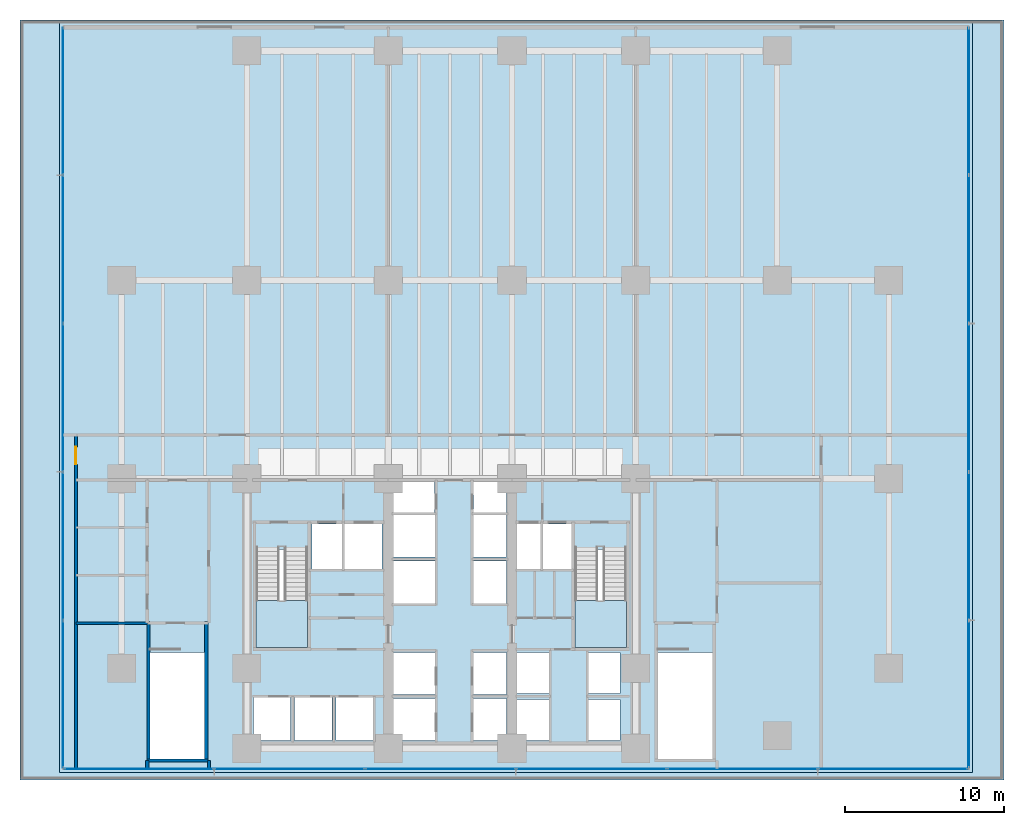
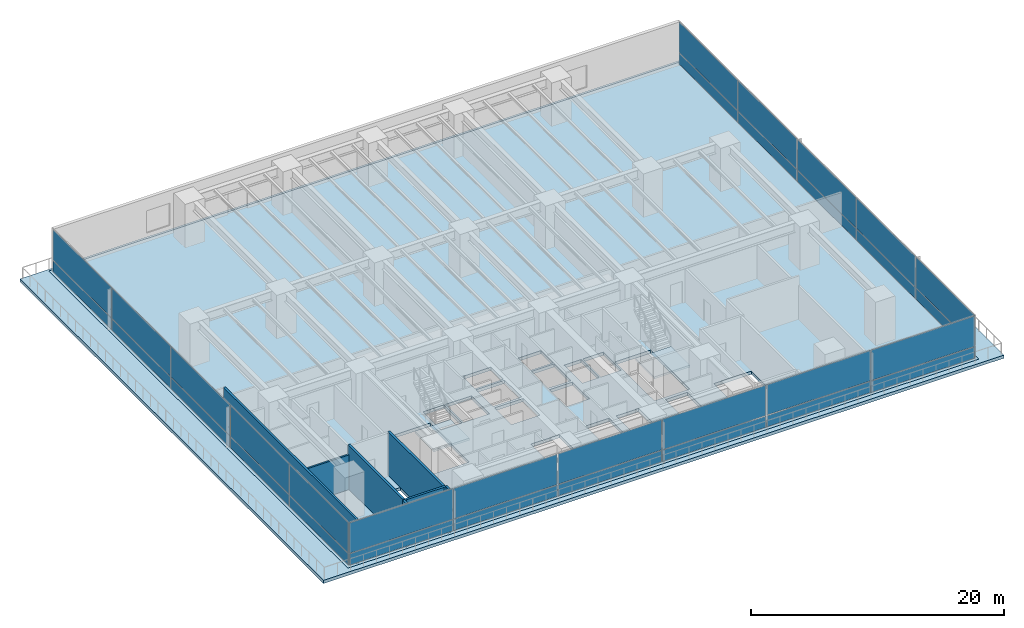
# One storey, part 6 of 21: 32 plates, 7 walls, 4 slabs, 1 door, 1 opening, 5 elements without a shape of their own.
"""IFC4 building model written with IfcOpenShell, lengths in metres."""

import ifcopenshell
import ifcopenshell.guid

model = None  # the IFC model being written
_history = None  # IfcOwnerHistory: only IFC2X3 demands one
_inside = {}  # id of a spatial element -> (the spatial element, [elements in it])
_under = {}  # id of a project, library or spatial element -> (it, [spatial elements below it])
_declared = {}  # id of a project -> (the project, [libraries it declares])
_typed = {}  # id of a type object -> (the type object, [elements of that type])
_made_of = {}  # id of a material, layer set ... -> (it, [elements and type objects made of it])


def new_model(schema):
    """Start an empty IFC model of exactly this schema.

    Asked for "IFC4X3", IfcOpenShell would pick the latest addendum, in which some entities
    have other attributes; the version numbers below select the first issue.
    IFC2X3 requires an IfcOwnerHistory on every rooted entity: one is made here for all.
    """
    global model, _history
    if schema == "IFC4X3":
        model = ifcopenshell.file(schema_version=(4, 3, 0, 0))
    else:
        model = ifcopenshell.file(schema=schema)
    _inside.clear()
    _under.clear()
    _declared.clear()
    _typed.clear()
    _made_of.clear()
    _history = None
    if model.schema == "IFC2X3":
        org = make("IfcOrganization", Name="unknown")
        user = make(
            "IfcPersonAndOrganization",
            ThePerson=make("IfcPerson", FamilyName="unknown"),
            TheOrganization=org,
        )
        app = make(
            "IfcApplication",
            ApplicationDeveloper=org,
            Version="unknown",
            ApplicationFullName="unknown",
            ApplicationIdentifier="unknown",
        )
        _history = make(
            "IfcOwnerHistory",
            OwningUser=user,
            OwningApplication=app,
            ChangeAction="ADDED",
            CreationDate=0,
        )
    return model


def make(cls, **values):
    """One entity of the class cls with the attributes given. An attribute that is None is left unset."""
    return model.create_entity(
        cls, **{name: value for name, value in values.items() if value is not None}
    )


def rooted(cls, **values):
    """An entity with a GlobalId (a new one), such as an element, a storey or a relation."""
    return make(cls, GlobalId=ifcopenshell.guid.new(), OwnerHistory=_history, **values)


def si_unit(unit_type, name, prefix=None):
    """IfcSIUnit, for example si_unit("LENGTHUNIT", "METRE", prefix="MILLI")."""
    return make("IfcSIUnit", UnitType=unit_type, Prefix=prefix, Name=name)


def assignment(units):
    """IfcUnitAssignment: the units of a project."""
    return None if units is None else make("IfcUnitAssignment", Units=units)


def point(xyz):
    """IfcCartesianPoint."""
    return None if xyz is None else make("IfcCartesianPoint", Coordinates=xyz)


def direction(xyz):
    """IfcDirection."""
    return None if xyz is None else make("IfcDirection", DirectionRatios=xyz)


def frame(location, z_axis=None, x_axis=None):
    """IfcAxis2Placement3D, a coordinate frame: its origin and axes. An axis left out is left unset."""
    return make(
        "IfcAxis2Placement3D",
        Location=point(location),
        Axis=direction(z_axis),
        RefDirection=direction(x_axis),
    )


def frame_2d(location, x_axis=None):
    """IfcAxis2Placement2D, a coordinate frame in the plane: its origin and x axis."""
    return make(
        "IfcAxis2Placement2D", Location=point(location), RefDirection=direction(x_axis)
    )


def origin():
    """The frame at (0, 0, 0) with its axes left unset."""
    return frame((0.0, 0.0, 0.0))


def origin_2d():
    """The frame at (0, 0) in the plane with its x axis left unset."""
    return frame_2d((0.0, 0.0))


def place(relative_to, where):
    """IfcLocalPlacement: puts the frame where relative to a parent placement (None: the world)."""
    return make(
        "IfcLocalPlacement", PlacementRelTo=relative_to, RelativePlacement=where
    )


def context(
    kind, dimensions, precision=None, world=None, true_north=None, identifier=None
):
    """IfcGeometricRepresentationContext, for example the 3D "Model" context."""
    return make(
        "IfcGeometricRepresentationContext",
        ContextIdentifier=identifier,
        ContextType=kind,
        CoordinateSpaceDimension=dimensions,
        Precision=precision,
        WorldCoordinateSystem=world,
        TrueNorth=true_north,
    )


def subcontext(parent, identifier, kind, view, scale=None):
    """IfcGeometricRepresentationSubContext, for example "Body" below "Model"."""
    return make(
        "IfcGeometricRepresentationSubContext",
        ContextIdentifier=identifier,
        ContextType=kind,
        ParentContext=parent,
        TargetScale=scale,
        TargetView=view,
    )


def project(units=None, contexts=None):
    """IfcProject with its units and contexts."""
    return rooted(
        "IfcProject",
        Name="project",
        RepresentationContexts=contexts,
        UnitsInContext=assignment(units),
    )


def spatial(cls, under=None, at=None, **own):
    """A site, building, storey or space (cls), placed at a placement, below another one or the project."""
    s = rooted(cls, ObjectPlacement=at, **own)
    if under is not None:
        _under.setdefault(under.id(), (under, []))[1].append(s)
    return s


def polyline(points):
    """IfcPolyline through the points."""
    return make("IfcPolyline", Points=[point(p) for p in points])


def profile(cls, at=None, kind="AREA", **sizes):
    """A parametric profile (cls). Its sizes go by their IFC names, for example OverallWidth=200.0."""
    return make(cls, ProfileType=kind, Position=at, **sizes)


def rectangle(**sizes):
    """IfcRectangleProfileDef."""
    return profile("IfcRectangleProfileDef", **sizes)


def outline(outer, holes=None, kind="AREA"):
    """IfcArbitraryClosedProfileDef: a profile drawn as a closed curve; with holes, ...WithVoids."""
    if holes is None:
        return make("IfcArbitraryClosedProfileDef", ProfileType=kind, OuterCurve=outer)
    return make(
        "IfcArbitraryProfileDefWithVoids",
        ProfileType=kind,
        OuterCurve=outer,
        InnerCurves=holes,
    )


def extrude(swept, where, along, depth):
    """IfcExtrudedAreaSolid: the profile swept, set in the frame where, extruded along a direction by depth."""
    return make(
        "IfcExtrudedAreaSolid",
        SweptArea=swept,
        Position=where,
        ExtrudedDirection=direction(along),
        Depth=depth,
    )


def shape(context_of_items, identifier, shape_type, items):
    """IfcShapeRepresentation: the items that make up one representation, for example the "Body"."""
    return make(
        "IfcShapeRepresentation",
        ContextOfItems=context_of_items,
        RepresentationIdentifier=identifier,
        RepresentationType=shape_type,
        Items=items,
    )


def material(Name=None, Category=None):
    """IfcMaterial."""
    return make("IfcMaterial", Name=Name, Category=Category)


def layer(
    of_material, thickness, ventilated=None, Name=None, Category=None, Priority=None
):
    """IfcMaterialLayer: one layer of a wall or slab, of a material (None: an air gap)."""
    return make(
        "IfcMaterialLayer",
        Material=of_material,
        LayerThickness=thickness,
        IsVentilated=ventilated,
        Name=Name,
        Category=Category,
        Priority=Priority,
    )


def layer_set(layers, Name=None):
    """IfcMaterialLayerSet."""
    return make("IfcMaterialLayerSet", MaterialLayers=layers, LayerSetName=Name)


def made_of(thing, what):
    """Note that an element or type object is made of a material, layer set ...; save() writes the relation."""
    if what is not None:
        _made_of.setdefault(what.id(), (what, []))[1].append(thing)
    return thing


def type_object(cls, material=None, **own):
    """A type object (cls), such as IfcWallType, which elements share."""
    return made_of(rooted(cls, **own), material)


def element(
    cls,
    number,
    at=None,
    inside=None,
    cuts=None,
    type_object=None,
    material=None,
    context=None,
    identifier="Body",
    shape_type=None,
    held_by="IfcProductDefinitionShape",
    body=None,
    shapes=None,
    **own,
):
    """One element of the class cls, such as IfcWall. Its Tag is "e" and its number.

    at: its placement. inside: the storey or other place that contains it. cuts: it is an
    opening in that element (IfcRelVoidsElement). A single representation is given by context,
    identifier, shape_type and body (its items); several are given by shapes. held_by: the class
    of the entity that holds the representations. save() writes the other relations.
    """
    e = rooted(cls, Tag="e%d" % number, ObjectPlacement=at, **own)
    if body is not None:
        shapes = [shape(context, identifier, shape_type, body)]
    if shapes is not None:
        e.Representation = make(held_by, Representations=shapes)
    if inside is not None:
        _inside.setdefault(inside.id(), (inside, []))[1].append(e)
    if cuts is not None:
        rooted(
            "IfcRelVoidsElement", RelatingBuildingElement=cuts, RelatedOpeningElement=e
        )
    if type_object is not None:
        _typed.setdefault(type_object.id(), (type_object, []))[1].append(e)
    return made_of(e, material)


def fill(opening, filler):
    """IfcRelFillsElement: the door or window that sits in an opening."""
    return rooted(
        "IfcRelFillsElement",
        RelatingOpeningElement=opening,
        RelatedBuildingElement=filler,
    )


def aggregate(whole, parts):
    """IfcRelAggregates: a whole, such as a stair, and the parts it consists of."""
    return rooted("IfcRelAggregates", RelatingObject=whole, RelatedObjects=parts)


def save(model, path):
    """Write the relations noted so far, then the file.

    IfcRelAggregates (storeys below a building ...), IfcRelContainedInSpatialStructure (elements
    in a storey), IfcRelDefinesByType, IfcRelAssociatesMaterial and IfcRelDeclares: one each for
    every whole, place, type object, material and project.
    """
    for whole, parts in _under.values():
        aggregate(whole, parts)
    for where, things in _inside.values():
        rooted(
            "IfcRelContainedInSpatialStructure",
            RelatedElements=things,
            RelatingStructure=where,
        )
    for kind, things in _typed.values():
        rooted("IfcRelDefinesByType", RelatedObjects=things, RelatingType=kind)
    for what, things in _made_of.values():
        rooted("IfcRelAssociatesMaterial", RelatedObjects=things, RelatingMaterial=what)
    for by, libraries in _declared.values():
        rooted("IfcRelDeclares", RelatingContext=by, RelatedDefinitions=libraries)
    model.write(path)


model = new_model("IFC4")

# Units and contexts
model_context = context("Model", 3, precision=1e-05, world=origin(), true_north=direction((0.0, 1.0)))
body_context = subcontext(model_context, "Body", "Model", "MODEL_VIEW")
ifc_project = project(units=[si_unit("LENGTHUNIT", "METRE"), si_unit("AREAUNIT", "SQUARE_METRE"), si_unit("VOLUMEUNIT", "CUBIC_METRE"), si_unit("PLANEANGLEUNIT", "RADIAN"), si_unit("MASSUNIT", "GRAM", prefix="KILO")], contexts=[model_context])

# Site, building, storey
site_placement = place(None, origin())
site = spatial("IfcSite", under=ifc_project, at=site_placement, CompositionType="ELEMENT")
building_placement = place(site_placement, origin())
building = spatial("IfcBuilding", under=site, at=building_placement, Name="Qalmaran Belvedere Hotel", CompositionType="ELEMENT")
storey_placement = place(building_placement, frame((0.0, 0.0, 23.800048828125)))
storey = spatial("IfcBuildingStorey", under=building, at=storey_placement, Name="L05", CompositionType="ELEMENT", Elevation=23.800048828125)

# Curtain wall, plates
ifc_material_1 = material(Name="Anodised Bronze Aluminium", Category="aluminium")
ifc_layer_1 = layer(ifc_material_1, 0.219970703125, Name="Anodised Bronze Aluminium")
ifc_layer_set_1 = layer_set([ifc_layer_1], Name="Anodised Bronze Aluminium")
curtain_wall_type = type_object("IfcCurtainWallType", Name="CW1-PODIUM-BRONZE", PredefinedType="NOTDEFINED", material=ifc_layer_set_1)
curtain_wall_1_placement = place(storey_placement, origin())
curtain_wall_1 = element("IfcCurtainWall", 1, at=curtain_wall_1_placement, inside=storey, type_object=curtain_wall_type, Name="L05 Curtain Wall CW1", PredefinedType="NOTDEFINED")
ifc_material_2 = material(Name="Anodised Bronze Spandrel Panel")
ifc_layer_2 = layer(ifc_material_2, 0.035888671875, Name="Anodised Bronze Spandrel Panel")
ifc_layer_set_2 = layer_set([ifc_layer_2], Name="Anodised Bronze Spandrel Panel")
plate_type_1 = type_object("IfcPlateType", Name="CWP-SPANDREL-36", PredefinedType="CURTAIN_PANEL", material=ifc_layer_set_2)
plate_1_placement = place(storey_placement, frame((13.49365234375, 2.219970703125, 0.06982421875), z_axis=(0.0, 0.0, 1.0), x_axis=(1.0, 0.0, 0.0)))
plate_1 = element("IfcPlate", 2, at=plate_1_placement, type_object=plate_type_1, Name="CW1 panel 1.1", PredefinedType="CURTAIN_PANEL", context=body_context, shape_type="SweptSolid", body=[
    extrude(rectangle(XDim=9.3974609375, YDim=0.035888671875, at=origin_2d()), origin(), (0.0, 0.0, 1.0), 1.071044921875),
])
plate_2_placement = place(storey_placement, frame((22.985107421875, 2.219970703125, 0.06982421875), z_axis=(0.0, 0.0, 1.0), x_axis=(1.0, 0.0, 0.0)))
plate_2 = element("IfcPlate", 3, at=plate_2_placement, type_object=plate_type_1, Name="CW1 panel 2.1", PredefinedType="CURTAIN_PANEL", context=body_context, shape_type="SweptSolid", body=[
    extrude(rectangle(XDim=9.43505859375, YDim=0.035888671875, at=origin_2d()), origin(), (0.0, 0.0, 1.0), 1.071044921875),
])
plate_3_placement = place(storey_placement, frame((32.4951171875, 2.219970703125, 0.06982421875), z_axis=(0.0, 0.0, 1.0), x_axis=(1.0, 0.0, 0.0)))
plate_3 = element("IfcPlate", 4, at=plate_3_placement, type_object=plate_type_1, Name="CW1 panel 3.1", PredefinedType="CURTAIN_PANEL", context=body_context, shape_type="SweptSolid", body=[
    extrude(rectangle(XDim=9.43505859375, YDim=0.035888671875, at=origin_2d()), origin(), (0.0, 0.0, 1.0), 1.071044921875),
])
plate_4_placement = place(storey_placement, frame((42.0048828125, 2.219970703125, 0.06982421875), z_axis=(0.0, 0.0, 1.0), x_axis=(1.0, 0.0, 0.0)))
plate_4 = element("IfcPlate", 5, at=plate_4_placement, type_object=plate_type_1, Name="CW1 panel 4.1", PredefinedType="CURTAIN_PANEL", context=body_context, shape_type="SweptSolid", body=[
    extrude(rectangle(XDim=9.43505859375, YDim=0.035888671875, at=origin_2d()), origin(), (0.0, 0.0, 1.0), 1.071044921875),
])
plate_5_placement = place(storey_placement, frame((51.514892578125, 2.219970703125, 0.06982421875), z_axis=(0.0, 0.0, 1.0), x_axis=(1.0, 0.0, 0.0)))
plate_5 = element("IfcPlate", 6, at=plate_5_placement, type_object=plate_type_1, Name="CW1 panel 5.1", PredefinedType="CURTAIN_PANEL", context=body_context, shape_type="SweptSolid", body=[
    extrude(rectangle(XDim=9.43505859375, YDim=0.035888671875, at=origin_2d()), origin(), (0.0, 0.0, 1.0), 1.071044921875),
])
plate_6_placement = place(storey_placement, frame((61.00634765625, 2.219970703125, 0.06982421875), z_axis=(0.0, 0.0, 1.0), x_axis=(1.0, 0.0, 0.0)))
plate_6 = element("IfcPlate", 7, at=plate_6_placement, type_object=plate_type_1, Name="CW1 panel 6.1", PredefinedType="CURTAIN_PANEL", context=body_context, shape_type="SweptSolid", body=[
    extrude(rectangle(XDim=9.3974609375, YDim=0.035888671875, at=origin_2d()), origin(), (0.0, 0.0, 1.0), 1.071044921875),
])

curtain_wall_2_placement = place(storey_placement, origin())
curtain_wall_2 = element("IfcCurtainWall", 8, at=curtain_wall_2_placement, inside=storey, type_object=curtain_wall_type, Name="L05 Curtain Wall CW1", PredefinedType="NOTDEFINED")
plate_7_placement = place(storey_placement, frame((65.780029296875, 6.914794921875, 0.06982421875), z_axis=(0.0, 0.0, 1.0), x_axis=(0.0, 1.0, 0.0)))
plate_7 = element("IfcPlate", 9, at=plate_7_placement, type_object=plate_type_1, Name="CW1 panel 1.1", PredefinedType="CURTAIN_PANEL", context=body_context, shape_type="SweptSolid", body=[
    extrude(rectangle(XDim=9.239501953125, YDim=0.035888671875, at=origin_2d()), origin(), (0.0, 0.0, 1.0), 1.071044921875),
])
plate_8_placement = place(storey_placement, frame((65.780029296875, 16.248046875, 0.06982421875), z_axis=(0.0, 0.0, 1.0), x_axis=(0.0, 1.0, 0.0)))
plate_8 = element("IfcPlate", 10, at=plate_8_placement, type_object=plate_type_1, Name="CW1 panel 2.1", PredefinedType="CURTAIN_PANEL", context=body_context, shape_type="SweptSolid", body=[
    extrude(rectangle(XDim=9.277099609375, YDim=0.035888671875, at=origin_2d()), origin(), (0.0, 0.0, 1.0), 1.071044921875),
])
plate_9_placement = place(storey_placement, frame((65.780029296875, 25.60009765625, 0.06982421875), z_axis=(0.0, 0.0, 1.0), x_axis=(0.0, 1.0, 0.0)))
plate_9 = element("IfcPlate", 11, at=plate_9_placement, type_object=plate_type_1, Name="CW1 panel 3.1", PredefinedType="CURTAIN_PANEL", context=body_context, shape_type="SweptSolid", body=[
    extrude(rectangle(XDim=9.277099609375, YDim=0.035888671875, at=origin_2d()), origin(), (0.0, 0.0, 1.0), 1.071044921875),
])
plate_10_placement = place(storey_placement, frame((65.780029296875, 34.951904296875, 0.06982421875), z_axis=(0.0, 0.0, 1.0), x_axis=(0.0, 1.0, 0.0)))
plate_10 = element("IfcPlate", 12, at=plate_10_placement, type_object=plate_type_1, Name="CW1 panel 4.1", PredefinedType="CURTAIN_PANEL", context=body_context, shape_type="SweptSolid", body=[
    extrude(rectangle(XDim=9.277099609375, YDim=0.035888671875, at=origin_2d()), origin(), (0.0, 0.0, 1.0), 1.071044921875),
])
plate_11_placement = place(storey_placement, frame((65.780029296875, 44.28515625, 0.06982421875), z_axis=(0.0, 0.0, 1.0), x_axis=(0.0, 1.0, 0.0)))
plate_11 = element("IfcPlate", 13, at=plate_11_placement, type_object=plate_type_1, Name="CW1 panel 5.1", PredefinedType="CURTAIN_PANEL", context=body_context, shape_type="SweptSolid", body=[
    extrude(rectangle(XDim=9.239501953125, YDim=0.035888671875, at=origin_2d()), origin(), (0.0, 0.0, 1.0), 1.071044921875),
])

curtain_wall_3_placement = place(storey_placement, origin())
curtain_wall_3 = element("IfcCurtainWall", 14, at=curtain_wall_3_placement, inside=storey, type_object=curtain_wall_type, Name="L05 Curtain Wall CW1", PredefinedType="NOTDEFINED")
plate_12_placement = place(storey_placement, frame((8.719970703125, 44.28515625, 0.06982421875), z_axis=(0.0, 0.0, 1.0), x_axis=(0.0, -1.0, 0.0)))
plate_12 = element("IfcPlate", 15, at=plate_12_placement, type_object=plate_type_1, Name="CW1 panel 1.1", PredefinedType="CURTAIN_PANEL", context=body_context, shape_type="SweptSolid", body=[
    extrude(rectangle(XDim=9.239501953125, YDim=0.035888671875, at=origin_2d()), origin(), (0.0, 0.0, 1.0), 1.071044921875),
])
plate_13_placement = place(storey_placement, frame((8.719970703125, 34.951904296875, 0.06982421875), z_axis=(0.0, 0.0, 1.0), x_axis=(0.0, -1.0, 0.0)))
plate_13 = element("IfcPlate", 16, at=plate_13_placement, type_object=plate_type_1, Name="CW1 panel 2.1", PredefinedType="CURTAIN_PANEL", context=body_context, shape_type="SweptSolid", body=[
    extrude(rectangle(XDim=9.277099609375, YDim=0.035888671875, at=origin_2d()), origin(), (0.0, 0.0, 1.0), 1.071044921875),
])
plate_14_placement = place(storey_placement, frame((8.719970703125, 25.60009765625, 0.06982421875), z_axis=(0.0, 0.0, 1.0), x_axis=(0.0, -1.0, 0.0)))
plate_14 = element("IfcPlate", 17, at=plate_14_placement, type_object=plate_type_1, Name="CW1 panel 3.1", PredefinedType="CURTAIN_PANEL", context=body_context, shape_type="SweptSolid", body=[
    extrude(rectangle(XDim=9.277099609375, YDim=0.035888671875, at=origin_2d()), origin(), (0.0, 0.0, 1.0), 1.071044921875),
])
plate_15_placement = place(storey_placement, frame((8.719970703125, 16.248046875, 0.06982421875), z_axis=(0.0, 0.0, 1.0), x_axis=(0.0, -1.0, 0.0)))
plate_15 = element("IfcPlate", 18, at=plate_15_placement, type_object=plate_type_1, Name="CW1 panel 4.1", PredefinedType="CURTAIN_PANEL", context=body_context, shape_type="SweptSolid", body=[
    extrude(rectangle(XDim=9.277099609375, YDim=0.035888671875, at=origin_2d()), origin(), (0.0, 0.0, 1.0), 1.071044921875),
])
plate_16_placement = place(storey_placement, frame((8.719970703125, 6.914794921875, 0.06982421875), z_axis=(0.0, 0.0, 1.0), x_axis=(0.0, -1.0, 0.0)))
plate_16 = element("IfcPlate", 19, at=plate_16_placement, type_object=plate_type_1, Name="CW1 panel 5.1", PredefinedType="CURTAIN_PANEL", context=body_context, shape_type="SweptSolid", body=[
    extrude(rectangle(XDim=9.239501953125, YDim=0.035888671875, at=origin_2d()), origin(), (0.0, 0.0, 1.0), 1.071044921875),
])

# Plate
ifc_material_3 = material(Name="Solar-Control Double Glazing", Category="glass")
ifc_layer_3 = layer(ifc_material_3, 0.028076171875, Name="Solar-Control Double Glazing")
ifc_layer_set_3 = layer_set([ifc_layer_3], Name="Solar-Control Double Glazing")
plate_type_2 = type_object("IfcPlateType", Name="CWP-VISION-28", PredefinedType="CURTAIN_PANEL", material=ifc_layer_set_3)
plate_17_placement = place(storey_placement, frame((13.49365234375, 2.219970703125, 1.2109375), z_axis=(0.0, 0.0, 1.0), x_axis=(1.0, 0.0, 0.0)))
plate_17 = element("IfcPlate", 20, at=plate_17_placement, type_object=plate_type_2, Name="CW1 panel 1.2", PredefinedType="CURTAIN_PANEL", context=body_context, shape_type="SweptSolid", body=[
    extrude(rectangle(XDim=9.3974609375, YDim=0.028076171875, at=origin_2d()), origin(), (0.0, 0.0, 1.0), 2.9189453125),
])

plate_18_placement = place(storey_placement, frame((22.985107421875, 2.219970703125, 1.2109375), z_axis=(0.0, 0.0, 1.0), x_axis=(1.0, 0.0, 0.0)))
plate_18 = element("IfcPlate", 21, at=plate_18_placement, type_object=plate_type_2, Name="CW1 panel 2.2", PredefinedType="CURTAIN_PANEL", context=body_context, shape_type="SweptSolid", body=[
    extrude(rectangle(XDim=9.43505859375, YDim=0.028076171875, at=origin_2d()), origin(), (0.0, 0.0, 1.0), 2.9189453125),
])

plate_19_placement = place(storey_placement, frame((32.4951171875, 2.219970703125, 1.2109375), z_axis=(0.0, 0.0, 1.0), x_axis=(1.0, 0.0, 0.0)))
plate_19 = element("IfcPlate", 22, at=plate_19_placement, type_object=plate_type_2, Name="CW1 panel 3.2", PredefinedType="CURTAIN_PANEL", context=body_context, shape_type="SweptSolid", body=[
    extrude(rectangle(XDim=9.43505859375, YDim=0.028076171875, at=origin_2d()), origin(), (0.0, 0.0, 1.0), 2.9189453125),
])

plate_20_placement = place(storey_placement, frame((42.0048828125, 2.219970703125, 1.2109375), z_axis=(0.0, 0.0, 1.0), x_axis=(1.0, 0.0, 0.0)))
plate_20 = element("IfcPlate", 23, at=plate_20_placement, type_object=plate_type_2, Name="CW1 panel 4.2", PredefinedType="CURTAIN_PANEL", context=body_context, shape_type="SweptSolid", body=[
    extrude(rectangle(XDim=9.43505859375, YDim=0.028076171875, at=origin_2d()), origin(), (0.0, 0.0, 1.0), 2.9189453125),
])

plate_21_placement = place(storey_placement, frame((51.514892578125, 2.219970703125, 1.2109375), z_axis=(0.0, 0.0, 1.0), x_axis=(1.0, 0.0, 0.0)))
plate_21 = element("IfcPlate", 24, at=plate_21_placement, type_object=plate_type_2, Name="CW1 panel 5.2", PredefinedType="CURTAIN_PANEL", context=body_context, shape_type="SweptSolid", body=[
    extrude(rectangle(XDim=9.43505859375, YDim=0.028076171875, at=origin_2d()), origin(), (0.0, 0.0, 1.0), 2.9189453125),
])

plate_22_placement = place(storey_placement, frame((61.00634765625, 2.219970703125, 1.2109375), z_axis=(0.0, 0.0, 1.0), x_axis=(1.0, 0.0, 0.0)))
plate_22 = element("IfcPlate", 25, at=plate_22_placement, type_object=plate_type_2, Name="CW1 panel 6.2", PredefinedType="CURTAIN_PANEL", context=body_context, shape_type="SweptSolid", body=[
    extrude(rectangle(XDim=9.3974609375, YDim=0.028076171875, at=origin_2d()), origin(), (0.0, 0.0, 1.0), 2.9189453125),
])

aggregate(curtain_wall_1, [plate_1, plate_17, plate_2, plate_18, plate_3, plate_19, plate_4, plate_20, plate_5, plate_21, plate_6, plate_22])

plate_23_placement = place(storey_placement, frame((65.780029296875, 6.914794921875, 1.2109375), z_axis=(0.0, 0.0, 1.0), x_axis=(0.0, 1.0, 0.0)))
plate_23 = element("IfcPlate", 26, at=plate_23_placement, type_object=plate_type_2, Name="CW1 panel 1.2", PredefinedType="CURTAIN_PANEL", context=body_context, shape_type="SweptSolid", body=[
    extrude(rectangle(XDim=9.239501953125, YDim=0.028076171875, at=origin_2d()), origin(), (0.0, 0.0, 1.0), 2.9189453125),
])

plate_24_placement = place(storey_placement, frame((65.780029296875, 16.248046875, 1.2109375), z_axis=(0.0, 0.0, 1.0), x_axis=(0.0, 1.0, 0.0)))
plate_24 = element("IfcPlate", 27, at=plate_24_placement, type_object=plate_type_2, Name="CW1 panel 2.2", PredefinedType="CURTAIN_PANEL", context=body_context, shape_type="SweptSolid", body=[
    extrude(rectangle(XDim=9.277099609375, YDim=0.028076171875, at=origin_2d()), origin(), (0.0, 0.0, 1.0), 2.9189453125),
])

plate_25_placement = place(storey_placement, frame((65.780029296875, 25.60009765625, 1.2109375), z_axis=(0.0, 0.0, 1.0), x_axis=(0.0, 1.0, 0.0)))
plate_25 = element("IfcPlate", 28, at=plate_25_placement, type_object=plate_type_2, Name="CW1 panel 3.2", PredefinedType="CURTAIN_PANEL", context=body_context, shape_type="SweptSolid", body=[
    extrude(rectangle(XDim=9.277099609375, YDim=0.028076171875, at=origin_2d()), origin(), (0.0, 0.0, 1.0), 2.9189453125),
])

plate_26_placement = place(storey_placement, frame((65.780029296875, 34.951904296875, 1.2109375), z_axis=(0.0, 0.0, 1.0), x_axis=(0.0, 1.0, 0.0)))
plate_26 = element("IfcPlate", 29, at=plate_26_placement, type_object=plate_type_2, Name="CW1 panel 4.2", PredefinedType="CURTAIN_PANEL", context=body_context, shape_type="SweptSolid", body=[
    extrude(rectangle(XDim=9.277099609375, YDim=0.028076171875, at=origin_2d()), origin(), (0.0, 0.0, 1.0), 2.9189453125),
])

plate_27_placement = place(storey_placement, frame((65.780029296875, 44.28515625, 1.2109375), z_axis=(0.0, 0.0, 1.0), x_axis=(0.0, 1.0, 0.0)))
plate_27 = element("IfcPlate", 30, at=plate_27_placement, type_object=plate_type_2, Name="CW1 panel 5.2", PredefinedType="CURTAIN_PANEL", context=body_context, shape_type="SweptSolid", body=[
    extrude(rectangle(XDim=9.239501953125, YDim=0.028076171875, at=origin_2d()), origin(), (0.0, 0.0, 1.0), 2.9189453125),
])

aggregate(curtain_wall_2, [plate_7, plate_23, plate_8, plate_24, plate_9, plate_25, plate_10, plate_26, plate_11, plate_27])

plate_28_placement = place(storey_placement, frame((8.719970703125, 44.28515625, 1.2109375), z_axis=(0.0, 0.0, 1.0), x_axis=(0.0, -1.0, 0.0)))
plate_28 = element("IfcPlate", 31, at=plate_28_placement, type_object=plate_type_2, Name="CW1 panel 1.2", PredefinedType="CURTAIN_PANEL", context=body_context, shape_type="SweptSolid", body=[
    extrude(rectangle(XDim=9.239501953125, YDim=0.028076171875, at=origin_2d()), origin(), (0.0, 0.0, 1.0), 2.9189453125),
])

plate_29_placement = place(storey_placement, frame((8.719970703125, 34.951904296875, 1.2109375), z_axis=(0.0, 0.0, 1.0), x_axis=(0.0, -1.0, 0.0)))
plate_29 = element("IfcPlate", 32, at=plate_29_placement, type_object=plate_type_2, Name="CW1 panel 2.2", PredefinedType="CURTAIN_PANEL", context=body_context, shape_type="SweptSolid", body=[
    extrude(rectangle(XDim=9.277099609375, YDim=0.028076171875, at=origin_2d()), origin(), (0.0, 0.0, 1.0), 2.9189453125),
])

plate_30_placement = place(storey_placement, frame((8.719970703125, 25.60009765625, 1.2109375), z_axis=(0.0, 0.0, 1.0), x_axis=(0.0, -1.0, 0.0)))
plate_30 = element("IfcPlate", 33, at=plate_30_placement, type_object=plate_type_2, Name="CW1 panel 3.2", PredefinedType="CURTAIN_PANEL", context=body_context, shape_type="SweptSolid", body=[
    extrude(rectangle(XDim=9.277099609375, YDim=0.028076171875, at=origin_2d()), origin(), (0.0, 0.0, 1.0), 2.9189453125),
])

plate_31_placement = place(storey_placement, frame((8.719970703125, 16.248046875, 1.2109375), z_axis=(0.0, 0.0, 1.0), x_axis=(0.0, -1.0, 0.0)))
plate_31 = element("IfcPlate", 34, at=plate_31_placement, type_object=plate_type_2, Name="CW1 panel 4.2", PredefinedType="CURTAIN_PANEL", context=body_context, shape_type="SweptSolid", body=[
    extrude(rectangle(XDim=9.277099609375, YDim=0.028076171875, at=origin_2d()), origin(), (0.0, 0.0, 1.0), 2.9189453125),
])

plate_32_placement = place(storey_placement, frame((8.719970703125, 6.914794921875, 1.2109375), z_axis=(0.0, 0.0, 1.0), x_axis=(0.0, -1.0, 0.0)))
plate_32 = element("IfcPlate", 35, at=plate_32_placement, type_object=plate_type_2, Name="CW1 panel 5.2", PredefinedType="CURTAIN_PANEL", context=body_context, shape_type="SweptSolid", body=[
    extrude(rectangle(XDim=9.239501953125, YDim=0.028076171875, at=origin_2d()), origin(), (0.0, 0.0, 1.0), 2.9189453125),
])

aggregate(curtain_wall_3, [plate_12, plate_28, plate_13, plate_29, plate_14, plate_30, plate_15, plate_31, plate_16, plate_32])

# Slab
ifc_material_4 = material(Name="Concrete C40/50", Category="concrete")
ifc_layer_4 = layer(ifc_material_4, 0.300048828125, Name="Concrete C40/50")
ifc_layer_set_4 = layer_set([ifc_layer_4], Name="Concrete C40/50")
slab_type_1 = type_object("IfcSlabType", Name="SLB-POD-300", PredefinedType="FLOOR", material=ifc_layer_set_4)
slab_1_placement = place(storey_placement, frame((0.0, 0.0, -0.300048828125)))
element("IfcSlab", 36, at=slab_1_placement, inside=storey, type_object=slab_type_1, Name="L05 Structural Floor Slab", PredefinedType="FLOOR", context=body_context, shape_type="SweptSolid", body=[
    extrude(outline(polyline([(8.5, 2.0), (66.0, 2.0), (66.0, 49.199951171875), (8.5, 49.199951171875), (8.5, 2.0)]), holes=[polyline([(20.8798828125, 9.85009765625), (24.1201171875, 9.85009765625), (24.1201171875, 16.0400390625), (20.8798828125, 16.0400390625), (20.8798828125, 9.85009765625)]), polyline([(40.9599609375, 9.85009765625), (44.199951171875, 9.85009765625), (44.199951171875, 16.0400390625), (40.9599609375, 16.0400390625), (40.9599609375, 9.85009765625)]), polyline([(14.199951171875, 2.85009765625), (17.639892578125, 2.85009765625), (17.639892578125, 9.550048828125), (14.199951171875, 9.550048828125), (14.199951171875, 2.85009765625)]), polyline([(46.199951171875, 2.85009765625), (49.639892578125, 2.85009765625), (49.639892578125, 9.550048828125), (46.199951171875, 9.550048828125), (46.199951171875, 2.85009765625)]), polyline([(29.544921875, 4.0), (32.14990234375, 4.0), (32.14990234375, 6.64990234375), (29.544921875, 6.64990234375), (29.544921875, 4.0)]), polyline([(29.544921875, 6.89990234375), (32.14990234375, 6.89990234375), (32.14990234375, 9.550048828125), (29.544921875, 9.550048828125), (29.544921875, 6.89990234375)]), polyline([(34.550048828125, 4.0), (36.655029296875, 4.0), (36.655029296875, 6.64990234375), (34.550048828125, 6.64990234375), (34.550048828125, 4.0)]), polyline([(34.550048828125, 6.89990234375), (36.655029296875, 6.89990234375), (36.655029296875, 9.550048828125), (34.550048828125, 9.550048828125), (34.550048828125, 6.89990234375)]), polyline([(29.544921875, 12.64990234375), (32.14990234375, 12.64990234375), (32.14990234375, 15.300048828125), (29.544921875, 15.300048828125), (29.544921875, 12.64990234375)]), polyline([(29.544921875, 15.550048828125), (32.14990234375, 15.550048828125), (32.14990234375, 18.199951171875), (29.544921875, 18.199951171875), (29.544921875, 15.550048828125)]), polyline([(34.550048828125, 12.64990234375), (36.655029296875, 12.64990234375), (36.655029296875, 15.300048828125), (34.550048828125, 15.300048828125), (34.550048828125, 12.64990234375)]), polyline([(34.550048828125, 15.550048828125), (36.655029296875, 15.550048828125), (36.655029296875, 18.199951171875), (34.550048828125, 18.199951171875), (34.550048828125, 15.550048828125)]), polyline([(37.300048828125, 4.0), (39.35009765625, 4.0), (39.35009765625, 6.60009765625), (37.300048828125, 6.60009765625), (37.300048828125, 4.0)]), polyline([(37.300048828125, 6.949951171875), (39.35009765625, 6.949951171875), (39.35009765625, 9.550048828125), (37.300048828125, 9.550048828125), (37.300048828125, 6.949951171875)]), polyline([(41.800048828125, 4.0), (43.800048828125, 4.0), (43.800048828125, 6.60009765625), (41.800048828125, 6.60009765625), (41.800048828125, 4.0)]), polyline([(41.800048828125, 6.949951171875), (43.800048828125, 6.949951171875), (43.800048828125, 9.550048828125), (41.800048828125, 9.550048828125), (41.800048828125, 6.949951171875)]), polyline([(20.699951171875, 4.0), (23.050048828125, 4.0), (23.050048828125, 6.699951171875), (20.699951171875, 6.699951171875), (20.699951171875, 4.0)]), polyline([(23.300048828125, 4.0), (25.64990234375, 4.0), (25.64990234375, 6.699951171875), (23.300048828125, 6.699951171875), (23.300048828125, 4.0)]), polyline([(25.89990234375, 4.0), (28.25, 4.0), (28.25, 6.699951171875), (25.89990234375, 6.699951171875), (25.89990234375, 4.0)]), polyline([(24.39990234375, 14.800048828125), (26.300048828125, 14.800048828125), (26.300048828125, 17.64990234375), (24.39990234375, 17.64990234375), (24.39990234375, 14.800048828125)]), polyline([(38.949951171875, 14.800048828125), (40.820068359375, 14.800048828125), (40.820068359375, 17.64990234375), (38.949951171875, 17.64990234375), (38.949951171875, 14.800048828125)]), polyline([(26.449951171875, 14.800048828125), (28.800048828125, 14.800048828125), (28.800048828125, 17.64990234375), (26.449951171875, 17.64990234375), (26.449951171875, 14.800048828125)]), polyline([(37.25, 14.800048828125), (38.800048828125, 14.800048828125), (38.800048828125, 17.64990234375), (37.25, 17.64990234375), (37.25, 14.800048828125)]), polyline([(29.544921875, 18.3798828125), (32.1201171875, 18.3798828125), (32.1201171875, 20.300048828125), (29.544921875, 20.300048828125), (29.544921875, 18.3798828125)]), polyline([(34.580078125, 18.3798828125), (36.655029296875, 18.3798828125), (36.655029296875, 20.300048828125), (34.580078125, 20.300048828125), (34.580078125, 18.3798828125)])]), origin(), (0.0, 0.0, 1.0), 0.300048828125),
])

# Stair, slab
stair_type_1 = type_object("IfcStairType", Name="STR-ST-1-1450-R1769", PredefinedType="HALF_TURN_STAIR", material=ifc_material_4)
stair_1_placement = place(storey_placement, origin())
stair_1 = element("IfcStair", 37, at=stair_1_placement, inside=storey, type_object=stair_type_1, Name="L05 West Core Exit Stair ST-1", PredefinedType="HALF_TURN_STAIR")
ifc_layer_5 = layer(ifc_material_4, 0.199951171875, Name="Concrete C40/50")
ifc_layer_set_5 = layer_set([ifc_layer_5], Name="Concrete C40/50")
slab_type_2 = type_object("IfcSlabType", Name="SLB-STAIR-LANDING-200", PredefinedType="LANDING", material=ifc_layer_set_5)
slab_2_placement = place(storey_placement, frame((0.0, 0.0, 2.099853515625)))
slab_2 = element("IfcSlab", 38, at=slab_2_placement, type_object=slab_type_2, Name="ST-1 landing 1", PredefinedType="LANDING", context=body_context, shape_type="SweptSolid", body=[
    extrude(outline(polyline([(20.8798828125, 12.830078125), (20.8798828125, 9.85009765625), (24.1201171875, 9.85009765625), (24.1201171875, 12.830078125), (20.8798828125, 12.830078125)])), origin(), (0.0, 0.0, 1.0), 0.2001953125),
])
aggregate(stair_1, [slab_2])

stair_type_2 = type_object("IfcStairType", Name="STR-ST-2-1450-R1769", PredefinedType="HALF_TURN_STAIR", material=ifc_material_4)
stair_2_placement = place(storey_placement, origin())
stair_2 = element("IfcStair", 39, at=stair_2_placement, inside=storey, type_object=stair_type_2, Name="L05 East Core Exit Stair ST-2", PredefinedType="HALF_TURN_STAIR")
slab_3_placement = place(storey_placement, frame((0.0, 0.0, 2.099853515625)))
slab_3 = element("IfcSlab", 40, at=slab_3_placement, type_object=slab_type_2, Name="ST-2 landing 1", PredefinedType="LANDING", context=body_context, shape_type="SweptSolid", body=[
    extrude(outline(polyline([(40.9599609375, 12.830078125), (40.9599609375, 9.85009765625), (44.199951171875, 9.85009765625), (44.199951171875, 12.830078125), (40.9599609375, 12.830078125)])), origin(), (0.0, 0.0, 1.0), 0.2001953125),
])
aggregate(stair_2, [slab_3])

# Slab
ifc_layer_6 = layer(ifc_material_4, 0.300048828125, Name="Concrete C40/50")
ifc_layer_set_6 = layer_set([ifc_layer_6], Name="Concrete C40/50")
slab_type_3 = type_object("IfcSlabType", Name="SLB-TER-300", PredefinedType="ROOF", material=ifc_layer_set_6)
slab_4_placement = place(storey_placement, frame((0.0, 0.0, -0.300048828125)))
element("IfcSlab", 41, at=slab_4_placement, inside=storey, type_object=slab_type_3, Name="L05 Podium Roof Terrace 1", PredefinedType="ROOF", context=body_context, shape_type="SweptSolid", body=[
    extrude(outline(polyline([(6.0, 49.39990234375), (68.0, 49.39990234375), (68.0, 1.5), (6.0, 1.5), (6.0, 49.39990234375)]), holes=[polyline([(66.0, 2.0), (66.0, 49.199951171875), (8.5, 49.199951171875), (8.5, 2.0), (66.0, 2.0)])]), origin(), (0.0, 0.0, 1.0), 0.300048828125),
])

# Wall
ifc_material_5 = material(Name="Gypsum Stud Partition")
ifc_layer_7 = layer(ifc_material_5, 0.159912109375, Name="Gypsum Stud Partition")
ifc_layer_set_7 = layer_set([ifc_layer_7], Name="Gypsum Stud Partition")
wall_type_1 = type_object("IfcWallType", Name="WL-INT-160-EI60", PredefinedType="PARTITIONING", material=ifc_layer_set_7)
wall_1_placement = place(storey_placement, frame((9.52001953125, 11.39990234375, 0.0), z_axis=(0.0, 0.0, 1.0), x_axis=(1.0, 0.0, 0.0)))
element("IfcWall", 42, at=wall_1_placement, inside=storey, type_object=wall_type_1, Name="L05 Partition WL-L05-WCS", PredefinedType="PARTITIONING", context=body_context, shape_type="SweptSolid", body=[
    extrude(rectangle(XDim=4.5, YDim=0.159912109375, at=frame_2d((2.25, 0.0))), origin(), (0.0, 0.0, 1.0), 3.329833984375),
])

# Wall, opening, door
ifc_layer_8 = layer(ifc_material_5, 0.179931640625, Name="Gypsum Stud Partition")
ifc_layer_set_8 = layer_set([ifc_layer_8], Name="Gypsum Stud Partition")
wall_type_2 = type_object("IfcWallType", Name="WL-INT-180-EI60", PredefinedType="PARTITIONING", material=ifc_layer_set_8)
wall_2_placement = place(storey_placement, frame((9.52001953125, 2.219970703125, 0.0), z_axis=(0.0, 0.0, 1.0), x_axis=(0.0, 1.0, 0.0)))
wall_2 = element("IfcWall", 43, at=wall_2_placement, inside=storey, type_object=wall_type_2, Name="L05 Partition WL-L05-WCW", PredefinedType="PARTITIONING", context=body_context, shape_type="SweptSolid", body=[
    extrude(rectangle(XDim=21.030029296875, YDim=0.179931640625, at=frame_2d((10.51513671875, 0.0))), origin(), (0.0, 0.0, 1.0), 4.199951171875),
])
opening_placement = place(wall_2_placement, frame((19.179931640625, 0.0, 0.0)))
opening = element("IfcOpeningElement", 44, at=opening_placement, cuts=wall_2, Name="Opening FD90", PredefinedType="OPENING", context=body_context, shape_type="SweptSolid", body=[
    extrude(rectangle(XDim=1.10009765625, YDim=2.14990234375, at=frame_2d((0.550048828125, 1.074951171875))), frame((0.0, 0.10009765625, 0.0), z_axis=(0.0, -1.0, 0.0), x_axis=(1.0, 0.0, 0.0)), (0.0, 0.0, 1.0), 0.199951171875),
])
ifc_material_6 = material(Name="Steel S355JR", Category="steel")
door_type = type_object("IfcDoorType", Name="DR-FD90-1100X2150", OperationType="NOTDEFINED", PredefinedType="DOOR", material=ifc_material_6)
door_placement = place(opening_placement, origin())
door = element("IfcDoor", 45, at=door_placement, inside=storey, type_object=door_type, Name="L05 West Wing Door", OperationType="SINGLE_SWING_LEFT", OverallHeight=2.14990234375, OverallWidth=1.10009765625, PredefinedType="DOOR", context=body_context, shape_type="SweptSolid", body=[
    extrude(rectangle(XDim=1.10009765625, YDim=2.14990234375, at=frame_2d((0.550048828125, 1.074951171875))), frame((0.0, 0.02490234375, 0.0), z_axis=(0.0, -1.0, 0.0), x_axis=(1.0, 0.0, 0.0)), (0.0, 0.0, 1.0), 0.050048828125),
])
fill(opening, door)

# Walls
ifc_material_7 = material(Name="Concrete C30/37 Blockwork", Category="masonry")
ifc_layer_9 = layer(ifc_material_7, 0.199951171875, Name="Concrete C30/37 Blockwork")
ifc_layer_set_9 = layer_set([ifc_layer_9], Name="Concrete C30/37 Blockwork")
wall_type_3 = type_object("IfcWallType", Name="WL-INT-200-EI120", PredefinedType="PARTITIONING", material=ifc_layer_set_9)
for number, where, z_axis, x_axis, name in (
    (46, (14.02001953125, 2.219970703125, 0.0), (0.0, 0.0, 1.0), (0.0, 1.0, 0.0), "L05 Partition WL-L05-STPWS"),
    (47, (17.89990234375, 2.219970703125, 0.0), (0.0, 0.0, 1.0), (0.0, 1.0, 0.0), "L05 Partition WL-L05-STPW2S"),
):
    element("IfcWall", number, at=place(storey_placement, frame(where, z_axis=z_axis, x_axis=x_axis)), inside=storey, type_object=wall_type_3, Name=name, PredefinedType="PARTITIONING", context=body_context, shape_type="SweptSolid", body=[
        extrude(rectangle(XDim=0.530029296875, YDim=0.199951171875, at=frame_2d((0.26513671875, 0.0))), origin(), (0.0, 0.0, 1.0), 4.199951171875),
    ])
ifc_material_8 = material(Name="Concrete C50/60", Category="concrete")
ifc_layer_10 = layer(ifc_material_8, 0.2099609375, Name="Concrete C50/60")
ifc_layer_set_10 = layer_set([ifc_layer_10], Name="Concrete C50/60")
wall_type_4 = type_object("IfcWallType", Name="WL-STAIR-210-C50", PredefinedType="SHEAR", material=ifc_layer_set_10)
for number, where, z_axis, x_axis, name in (
    (48, (14.094970703125, 2.639892578125, 0.0), (0.0, 0.0, 1.0), (0.0, 1.0, 0.0), "L05 Podium Stair STP1 West Bearing Wall"),
    (49, (17.7451171875, 2.639892578125, 0.0), (0.0, 0.0, 1.0), (0.0, 1.0, 0.0), "L05 Podium Stair STP1 East Bearing Wall"),
):
    element("IfcWall", number, at=place(storey_placement, frame(where, z_axis=z_axis, x_axis=x_axis)), inside=storey, type_object=wall_type_4, Name=name, PredefinedType="SHEAR", context=body_context, shape_type="SweptSolid", body=[
        extrude(rectangle(XDim=8.8701171875, YDim=0.2099609375, at=frame_2d((4.43505859375, 0.0))), origin(), (0.0, 0.0, 1.0), 4.199951171875),
    ])
wall_3_placement = place(storey_placement, frame((13.989990234375, 2.7451171875, 0.0), z_axis=(0.0, 0.0, 1.0), x_axis=(1.0, 0.0, 0.0)))
element("IfcWall", 50, at=wall_3_placement, inside=storey, type_object=wall_type_4, Name="L05 Podium Stair STP1 South Bearing Wall", PredefinedType="SHEAR", context=body_context, shape_type="SweptSolid", body=[
    extrude(rectangle(XDim=3.860107421875, YDim=0.2099609375, at=frame_2d((1.93017578125, 0.0))), origin(), (0.0, 0.0, 1.0), 4.199951171875),
])

save(model, "model.ifc")
